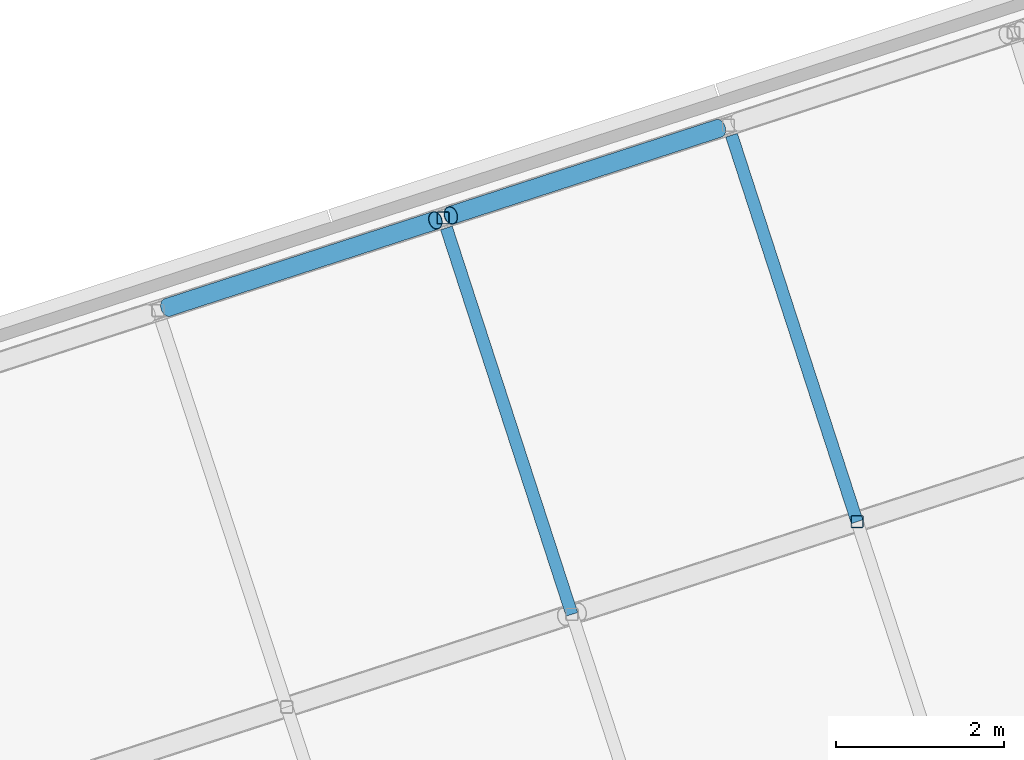
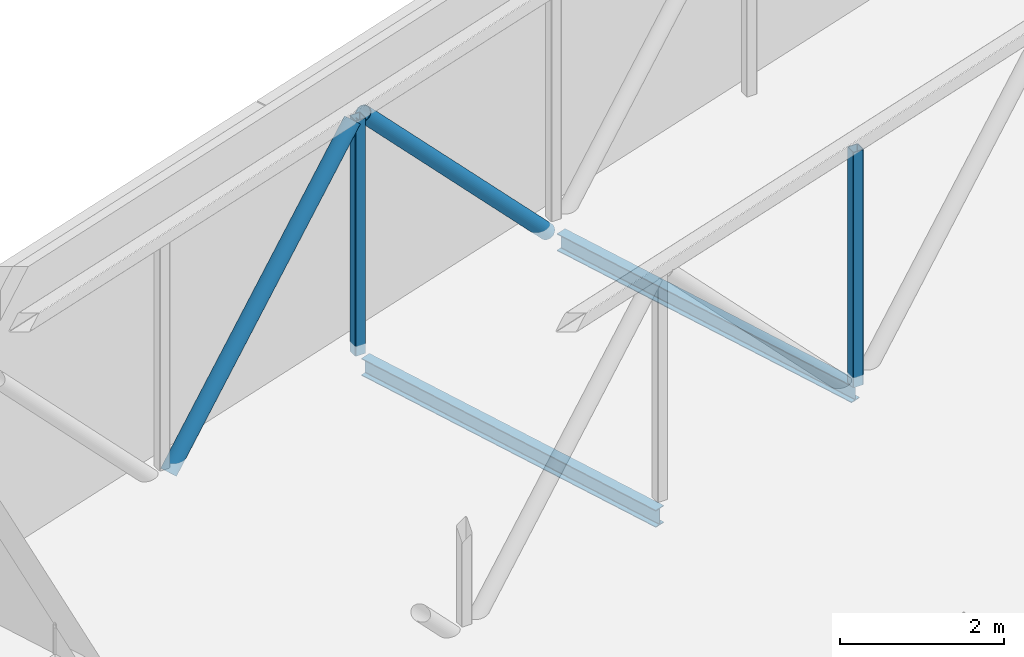
# One storey, part 10 of 52: 4 members, 2 beams.
"""IFC4 building model written with IfcOpenShell, lengths in metres."""

from ifc_helpers import new_model, si_unit, direction, frame, origin, origin_2d, place, context, subcontext, project, spatial, hollow_rectangle, hollow_circle, i_section, extrude, material, material_profile, profile_set, type_object, element, save


model = new_model("IFC4")

# Units and contexts
model_context = context("Model", 3, precision=1e-05, world=origin(), true_north=direction((0.0, 1.0)))
body_context = subcontext(model_context, "Body", "Model", "MODEL_VIEW")
ifc_project = project(units=[si_unit("LENGTHUNIT", "METRE"), si_unit("AREAUNIT", "SQUARE_METRE"), si_unit("VOLUMEUNIT", "CUBIC_METRE"), si_unit("PLANEANGLEUNIT", "RADIAN"), si_unit("MASSUNIT", "GRAM", prefix="KILO")], contexts=[model_context])

# Site, building, storey
site_placement = place(None, origin())
site = spatial("IfcSite", under=ifc_project, at=site_placement, CompositionType="ELEMENT")
building_placement = place(site_placement, origin())
building = spatial("IfcBuilding", under=site, at=building_placement, Name="Tuart Plaza Theatre", CompositionType="ELEMENT")
storey_placement = place(building_placement, frame((0.0, 0.0, 25.5)))
storey = spatial("IfcBuildingStorey", under=building, at=storey_placement, Name="L06", CompositionType="ELEMENT", Elevation=25.5)

# Beams
ifc_material_1 = material(Name="Steel Grade 300", Category="steel")
ifc_material_profile_1 = material_profile(ifc_material_1, i_section(OverallWidth=0.14599609375, OverallDepth=0.256103515625, WebThickness=0.00634765625, FlangeThickness=0.010986328125, FilletRadius=0.0087890625, at=origin_2d()), Name="250UB37.3")
ifc_profile_set_1 = profile_set([ifc_material_profile_1], Name="Steel Grade 300")
beam_type = type_object("IfcBeamType", Name="BEAM 250UB37.3", PredefinedType="BEAM", material=ifc_profile_set_1)
for number, where, z_axis, x_axis, name in (
    (1, (47.100341796875, 86.3232421875, -0.278076171875), (-0.309008270648, 0.951059350762, 0.0), (-0.951059350762, -0.309008270648, 0.0), "SB70"),
    (2, (50.487060546875, 87.423828125, -0.278076171875), (-0.309008270648, 0.951059350762, 0.0), (-0.951059350762, -0.309008270648, 0.0), "SB74"),
):
    element("IfcBeam", number, at=place(storey_placement, frame(where, z_axis=z_axis, x_axis=x_axis)), inside=storey, type_object=beam_type, Name=name, PredefinedType="BEAM", context=body_context, shape_type="SweptSolid", body=[
        extrude(i_section(OverallWidth=0.14599609375, OverallDepth=0.256103515625, WebThickness=0.00634765625, FlangeThickness=0.010986328125, FilletRadius=0.0087890625, at=origin_2d()), origin(), (0.0, 0.0, 1.0), 4.824951171875),
    ])

# Members
ifc_material_2 = material(Name="Steel Grade C350L0", Category="steel")
ifc_material_profile_2 = material_profile(ifc_material_2, hollow_circle(Radius=0.109619140625, WallThickness=0.00830078125, at=origin_2d()), Name="219.1x8.2 CHS")
ifc_profile_set_2 = profile_set([ifc_material_profile_2], Name="Steel Grade C350L0")
member_type_1 = type_object("IfcMemberType", Name="MEMBER Brace 219.1x8.2 CHS", PredefinedType="BRACE", material=ifc_profile_set_2)
for number, where, z_axis, x_axis, name in (
    (3, (42.297607421875, 89.967529296875, -0.14990234375), (0.657504502346, 0.21363599566, 0.72252853975), (-0.30901677521, 0.951056587506, 0.0), "BR57"),
    (4, (45.66162109375, 91.060546875, 3.346923828125), (0.657504502346, 0.21363599566, -0.72252853975), (-0.30901677521, 0.951056587506, 0.0), "BR58"),
):
    element("IfcMember", number, at=place(storey_placement, frame(where, z_axis=z_axis, x_axis=x_axis)), inside=storey, type_object=member_type_1, Name=name, PredefinedType="BRACE", context=body_context, shape_type="SweptSolid", body=[
        extrude(hollow_circle(Radius=0.109619140625, WallThickness=0.00830078125, at=origin_2d()), origin(), (0.0, 0.0, 1.0), 4.839599609375),
    ])
ifc_material_3 = material(Name="Steel Grade C350L0", Category="steel")
ifc_material_profile_3 = material_profile(ifc_material_3, hollow_rectangle(XDim=0.14990234375, YDim=0.14990234375, WallThickness=0.009033203125, InnerFilletRadius=0.009033203125, OuterFilletRadius=0.01806640625, at=origin_2d()), Name="150x150x9 SHS")
ifc_profile_set_3 = profile_set([ifc_material_profile_3], Name="Steel Grade C350L0")
member_type_2 = type_object("IfcMemberType", Name="MEMBER Post 150x150x9 SHS", PredefinedType="POST", material=ifc_profile_set_3)
for number, where, z_axis, x_axis, name in (
    (5, (50.487060546875, 87.423828125, -0.14990234375), (0.0, 0.0, 1.0), (1.0, 0.0, 0.0), "PO58"),
    (6, (45.570556640625, 91.031005859375, -0.14990234375), (0.0, 0.0, 1.0), (1.0, 0.0, 0.0), "PO66"),
):
    element("IfcMember", number, at=place(storey_placement, frame(where, z_axis=z_axis, x_axis=x_axis)), inside=storey, type_object=member_type_2, Name=name, PredefinedType="POST", context=body_context, shape_type="SweptSolid", body=[
        extrude(hollow_rectangle(XDim=0.14990234375, YDim=0.14990234375, WallThickness=0.009033203125, InnerFilletRadius=0.009033203125, OuterFilletRadius=0.01806640625, at=origin_2d()), origin(), (0.0, 0.0, 1.0), 3.496826171875),
    ])

save(model, "model.ifc")
